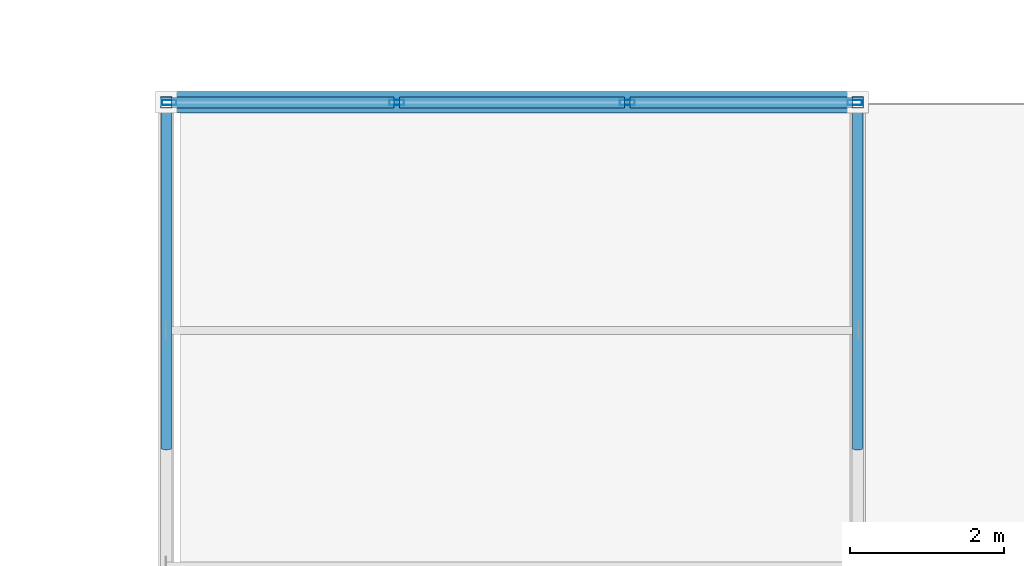
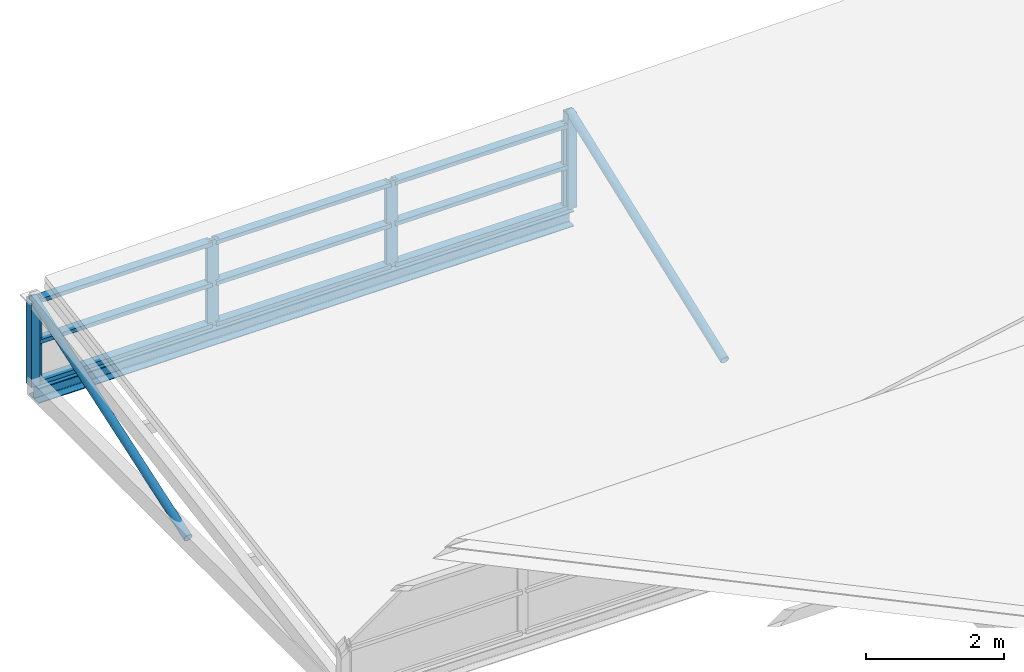
# One storey, part 27 of 103: 17 members, 1 beam, 1 element without a shape of its own.
"""IFC4 building model written with IfcOpenShell, lengths in metres."""

from ifc_helpers import new_model, si_unit, direction, frame, origin, origin_2d, place, context, subcontext, project, spatial, hollow_rectangle, hollow_circle, i_section, extrude, material, layer, layer_set, material_profile, profile_set, type_object, element, aggregate, save


model = new_model("IFC4")

# Units and contexts
model_context = context("Model", 3, precision=1e-05, world=origin(), true_north=direction((0.0, 1.0)))
body_context = subcontext(model_context, "Body", "Model", "MODEL_VIEW")
ifc_project = project(units=[si_unit("LENGTHUNIT", "METRE"), si_unit("AREAUNIT", "SQUARE_METRE"), si_unit("VOLUMEUNIT", "CUBIC_METRE"), si_unit("PLANEANGLEUNIT", "RADIAN"), si_unit("MASSUNIT", "GRAM", prefix="KILO")], contexts=[model_context])

# Site, building, storey
site_placement = place(None, origin())
site = spatial("IfcSite", under=ifc_project, at=site_placement, CompositionType="ELEMENT")
building_placement = place(site_placement, origin())
building = spatial("IfcBuilding", under=site, at=building_placement, Name="Deido Ridge Mobility Hub", CompositionType="ELEMENT")
storey_placement = place(building_placement, frame((0.0, 0.0, 12.60009765625)))
storey = spatial("IfcBuildingStorey", under=building, at=storey_placement, Name="L03", CompositionType="ELEMENT", Elevation=12.60009765625)

# Curtain wall, members
ifc_material_1 = material(Name="Anodised aluminium EN AW-6063 T6", Category="aluminium")
ifc_layer = layer(ifc_material_1, 0.14404296875, Name="Anodised aluminium EN AW-6063 T6")
ifc_layer_set = layer_set([ifc_layer], Name="Anodised aluminium EN AW-6063 T6")
curtain_wall_type = type_object("IfcCurtainWallType", Name="CW-GS-2", PredefinedType="USERDEFINED", material=ifc_layer_set)
curtain_wall_placement = place(storey_placement, origin())
curtain_wall = element("IfcCurtainWall", 1, at=curtain_wall_placement, inside=storey, type_object=curtain_wall_type, Name="Unitised curtain wall GS2", ObjectType="GLAZED SCREEN", PredefinedType="USERDEFINED")
ifc_material_profile_1 = material_profile(ifc_material_1, hollow_rectangle(XDim=0.070068359375, YDim=0.18994140625, WallThickness=0.00390625, at=origin_2d()), Name="RHS 70x190x4")
ifc_profile_set_1 = profile_set([ifc_material_profile_1], Name="Anodised aluminium EN AW-6063 T6")
member_type_1 = type_object("IfcMemberType", Name="MEM-MUL-70X190", PredefinedType="MULLION", material=ifc_profile_set_1)
member_1_placement = place(storey_placement, frame((0.034912109375, 81.0, 0.0), z_axis=(0.0, 0.0, 1.0), x_axis=(0.0, 1.0, 0.0)))
member_1 = element("IfcMember", 2, at=member_1_placement, type_object=member_type_1, Name="GS2 mullion 1", PredefinedType="MULLION", context=body_context, shape_type="SweptSolid", body=[
    extrude(hollow_rectangle(XDim=0.070068359375, YDim=0.18994140625, WallThickness=0.00390625, at=origin_2d()), origin(), (0.0, 0.0, 1.0), 1.52001953125),
])
member_2_placement = place(storey_placement, frame((3.0, 81.0, 0.0), z_axis=(0.0, 0.0, 1.0), x_axis=(0.0, 1.0, 0.0)))
member_2 = element("IfcMember", 3, at=member_2_placement, type_object=member_type_1, Name="GS2 mullion 2", PredefinedType="MULLION", context=body_context, shape_type="SweptSolid", body=[
    extrude(hollow_rectangle(XDim=0.070068359375, YDim=0.18994140625, WallThickness=0.00390625, at=origin_2d()), origin(), (0.0, 0.0, 1.0), 1.52001953125),
])
member_3_placement = place(storey_placement, frame((6.0, 81.0, 0.0), z_axis=(0.0, 0.0, 1.0), x_axis=(0.0, 1.0, 0.0)))
member_3 = element("IfcMember", 4, at=member_3_placement, type_object=member_type_1, Name="GS2 mullion 3", PredefinedType="MULLION", context=body_context, shape_type="SweptSolid", body=[
    extrude(hollow_rectangle(XDim=0.070068359375, YDim=0.18994140625, WallThickness=0.00390625, at=origin_2d()), origin(), (0.0, 0.0, 1.0), 1.52001953125),
])
member_4_placement = place(storey_placement, frame((8.965087890625, 81.0, 0.0), z_axis=(0.0, 0.0, 1.0), x_axis=(0.0, 1.0, 0.0)))
member_4 = element("IfcMember", 5, at=member_4_placement, type_object=member_type_1, Name="GS2 mullion 4", PredefinedType="MULLION", context=body_context, shape_type="SweptSolid", body=[
    extrude(hollow_rectangle(XDim=0.070068359375, YDim=0.18994140625, WallThickness=0.00390625, at=origin_2d()), origin(), (0.0, 0.0, 1.0), 1.52001953125),
])

# Members
ifc_material_2 = material(Name="Steel S355J2H EN 10210-1", Category="steel")
ifc_material_profile_2 = material_profile(ifc_material_2, hollow_rectangle(XDim=0.14990234375, YDim=0.14990234375, WallThickness=0.008056640625, at=origin_2d()), Name="SHS 150x150x8")
ifc_profile_set_2 = profile_set([ifc_material_profile_2], Name="Steel S355J2H EN 10210-1")
member_type_2 = type_object("IfcMemberType", Name="MEM-PST-SHS150", PredefinedType="POST", material=ifc_profile_set_2)
member_5_placement = place(storey_placement, frame((0.0, 81.0, 0.0), z_axis=(0.0, 0.0, 1.0), x_axis=(1.0, 0.0, 0.0)))
element("IfcMember", 6, at=member_5_placement, inside=storey, type_object=member_type_2, Name="Sawtooth clerestory post PS1", PredefinedType="POST", context=body_context, shape_type="SweptSolid", body=[
    extrude(hollow_rectangle(XDim=0.14990234375, YDim=0.14990234375, WallThickness=0.008056640625, at=origin_2d()), origin(), (0.0, 0.0, 1.0), 1.52978515625),
])
member_6_placement = place(storey_placement, frame((9.0, 81.0, 0.0), z_axis=(0.0, 0.0, 1.0), x_axis=(1.0, 0.0, 0.0)))
element("IfcMember", 7, at=member_6_placement, inside=storey, type_object=member_type_2, Name="Sawtooth clerestory post PS1", PredefinedType="POST", context=body_context, shape_type="SweptSolid", body=[
    extrude(hollow_rectangle(XDim=0.14990234375, YDim=0.14990234375, WallThickness=0.008056640625, at=origin_2d()), origin(), (0.0, 0.0, 1.0), 1.68994140625),
])
ifc_material_profile_3 = material_profile(ifc_material_2, hollow_circle(Radius=0.06982421875, WallThickness=0.00634765625, at=origin_2d()), Name="CHS 139.7x6.3")
ifc_profile_set_3 = profile_set([ifc_material_profile_3], Name="Steel S355J2H EN 10210-1")
member_type_3 = type_object("IfcMemberType", Name="MEM-STR-CHS140", PredefinedType="STRUT", material=ifc_profile_set_3)
member_7_placement = place(storey_placement, frame((0.0, 76.5, 0.0), z_axis=(0.0, 0.946786520256, 0.321862214406), x_axis=(-1.0, 0.0, 0.0)))
element("IfcMember", 8, at=member_7_placement, inside=storey, type_object=member_type_3, Name="Sawtooth web strut SR2", PredefinedType="STRUT", context=body_context, shape_type="SweptSolid", body=[
    extrude(hollow_circle(Radius=0.06982421875, WallThickness=0.00634765625, at=origin_2d()), origin(), (0.0, 0.0, 1.0), 4.7529296875),
])
member_8_placement = place(storey_placement, frame((9.0, 76.5, 0.0), z_axis=(0.0, 0.936162090723, 0.351568684461), x_axis=(-1.0, 0.0, 0.0)))
element("IfcMember", 9, at=member_8_placement, inside=storey, type_object=member_type_3, Name="Sawtooth web strut SR2", PredefinedType="STRUT", context=body_context, shape_type="SweptSolid", body=[
    extrude(hollow_circle(Radius=0.06982421875, WallThickness=0.00634765625, at=origin_2d()), origin(), (0.0, 0.0, 1.0), 4.806884765625),
])

# Member
ifc_material_profile_4 = material_profile(ifc_material_1, hollow_rectangle(XDim=0.14501953125, YDim=0.070068359375, WallThickness=0.00390625, at=origin_2d()), Name="RHS 145x70x4")
ifc_profile_set_4 = profile_set([ifc_material_profile_4], Name="Anodised aluminium EN AW-6063 T6")
member_type_4 = type_object("IfcMemberType", Name="MEM-TRN-145X70", PredefinedType="USERDEFINED", material=ifc_profile_set_4)
member_9_placement = place(storey_placement, frame((0.070068359375, 81.0, 0.034912109375), z_axis=(1.0, 0.0, 0.0), x_axis=(0.0, 1.0, 0.0)))
member_9 = element("IfcMember", 10, at=member_9_placement, type_object=member_type_4, Name="GS2 transom 1.1", ObjectType="TRANSOM", PredefinedType="USERDEFINED", context=body_context, shape_type="SweptSolid", body=[
    extrude(hollow_rectangle(XDim=0.14501953125, YDim=0.070068359375, WallThickness=0.00390625, at=origin_2d()), origin(), (0.0, 0.0, 1.0), 2.89501953125),
])

member_10_placement = place(storey_placement, frame((0.070068359375, 81.0, 0.760009765625), z_axis=(1.0, 0.0, 0.0), x_axis=(0.0, 1.0, 0.0)))
member_10 = element("IfcMember", 11, at=member_10_placement, type_object=member_type_4, Name="GS2 transom 1.2", ObjectType="TRANSOM", PredefinedType="USERDEFINED", context=body_context, shape_type="SweptSolid", body=[
    extrude(hollow_rectangle(XDim=0.14501953125, YDim=0.070068359375, WallThickness=0.00390625, at=origin_2d()), origin(), (0.0, 0.0, 1.0), 2.89501953125),
])

member_11_placement = place(storey_placement, frame((0.070068359375, 81.0, 1.48486328125), z_axis=(1.0, 0.0, 0.0), x_axis=(0.0, 1.0, 0.0)))
member_11 = element("IfcMember", 12, at=member_11_placement, type_object=member_type_4, Name="GS2 transom 1.3", ObjectType="TRANSOM", PredefinedType="USERDEFINED", context=body_context, shape_type="SweptSolid", body=[
    extrude(hollow_rectangle(XDim=0.14501953125, YDim=0.070068359375, WallThickness=0.00390625, at=origin_2d()), origin(), (0.0, 0.0, 1.0), 2.89501953125),
])

member_12_placement = place(storey_placement, frame((3.034912109375, 81.0, 0.034912109375), z_axis=(1.0, 0.0, 0.0), x_axis=(0.0, 1.0, 0.0)))
member_12 = element("IfcMember", 13, at=member_12_placement, type_object=member_type_4, Name="GS2 transom 2.1", ObjectType="TRANSOM", PredefinedType="USERDEFINED", context=body_context, shape_type="SweptSolid", body=[
    extrude(hollow_rectangle(XDim=0.14501953125, YDim=0.070068359375, WallThickness=0.00390625, at=origin_2d()), origin(), (0.0, 0.0, 1.0), 2.93017578125),
])

member_13_placement = place(storey_placement, frame((3.034912109375, 81.0, 0.760009765625), z_axis=(1.0, 0.0, 0.0), x_axis=(0.0, 1.0, 0.0)))
member_13 = element("IfcMember", 14, at=member_13_placement, type_object=member_type_4, Name="GS2 transom 2.2", ObjectType="TRANSOM", PredefinedType="USERDEFINED", context=body_context, shape_type="SweptSolid", body=[
    extrude(hollow_rectangle(XDim=0.14501953125, YDim=0.070068359375, WallThickness=0.00390625, at=origin_2d()), origin(), (0.0, 0.0, 1.0), 2.93017578125),
])

member_14_placement = place(storey_placement, frame((3.034912109375, 81.0, 1.48486328125), z_axis=(1.0, 0.0, 0.0), x_axis=(0.0, 1.0, 0.0)))
member_14 = element("IfcMember", 15, at=member_14_placement, type_object=member_type_4, Name="GS2 transom 2.3", ObjectType="TRANSOM", PredefinedType="USERDEFINED", context=body_context, shape_type="SweptSolid", body=[
    extrude(hollow_rectangle(XDim=0.14501953125, YDim=0.070068359375, WallThickness=0.00390625, at=origin_2d()), origin(), (0.0, 0.0, 1.0), 2.93017578125),
])

member_15_placement = place(storey_placement, frame((6.034912109375, 81.0, 0.034912109375), z_axis=(1.0, 0.0, 0.0), x_axis=(0.0, 1.0, 0.0)))
member_15 = element("IfcMember", 16, at=member_15_placement, type_object=member_type_4, Name="GS2 transom 3.1", ObjectType="TRANSOM", PredefinedType="USERDEFINED", context=body_context, shape_type="SweptSolid", body=[
    extrude(hollow_rectangle(XDim=0.14501953125, YDim=0.070068359375, WallThickness=0.00390625, at=origin_2d()), origin(), (0.0, 0.0, 1.0), 2.89501953125),
])

member_16_placement = place(storey_placement, frame((6.034912109375, 81.0, 0.760009765625), z_axis=(1.0, 0.0, 0.0), x_axis=(0.0, 1.0, 0.0)))
member_16 = element("IfcMember", 17, at=member_16_placement, type_object=member_type_4, Name="GS2 transom 3.2", ObjectType="TRANSOM", PredefinedType="USERDEFINED", context=body_context, shape_type="SweptSolid", body=[
    extrude(hollow_rectangle(XDim=0.14501953125, YDim=0.070068359375, WallThickness=0.00390625, at=origin_2d()), origin(), (0.0, 0.0, 1.0), 2.89501953125),
])

member_17_placement = place(storey_placement, frame((6.034912109375, 81.0, 1.48486328125), z_axis=(1.0, 0.0, 0.0), x_axis=(0.0, 1.0, 0.0)))
member_17 = element("IfcMember", 18, at=member_17_placement, type_object=member_type_4, Name="GS2 transom 3.3", ObjectType="TRANSOM", PredefinedType="USERDEFINED", context=body_context, shape_type="SweptSolid", body=[
    extrude(hollow_rectangle(XDim=0.14501953125, YDim=0.070068359375, WallThickness=0.00390625, at=origin_2d()), origin(), (0.0, 0.0, 1.0), 2.89501953125),
])

aggregate(curtain_wall, [member_1, member_2, member_3, member_4, member_9, member_10, member_11, member_12, member_13, member_14, member_15, member_16, member_17])

# Beam
ifc_material_3 = material(Name="Steel S355J2 EN 10025-2", Category="steel")
ifc_material_profile_5 = material_profile(ifc_material_3, i_section(OverallWidth=0.280029296875, OverallDepth=0.27001953125, WebThickness=0.008056640625, FlangeThickness=0.012939453125, FilletRadius=0.02392578125, at=origin_2d()), Name="HEA 280")
ifc_profile_set_5 = profile_set([ifc_material_profile_5], Name="Steel S355J2 EN 10025-2")
beam_type = type_object("IfcBeamType", Name="SPD-HEA280", PredefinedType="SPANDREL", material=ifc_profile_set_5)
beam_placement = place(storey_placement, frame((0.00732421875, 81.0, -0.135009765625), z_axis=(1.0, 0.0, 0.0), x_axis=(0.0, 1.0, 0.0)))
element("IfcBeam", 19, at=beam_placement, inside=storey, type_object=beam_type, Name="Sawtooth eave beam SP2", PredefinedType="SPANDREL", context=body_context, shape_type="SweptSolid", body=[
    extrude(i_section(OverallWidth=0.280029296875, OverallDepth=0.27001953125, WebThickness=0.008056640625, FlangeThickness=0.012939453125, FilletRadius=0.02392578125, at=origin_2d()), origin(), (0.0, 0.0, 1.0), 8.9853515625),
])

save(model, "model.ifc")
